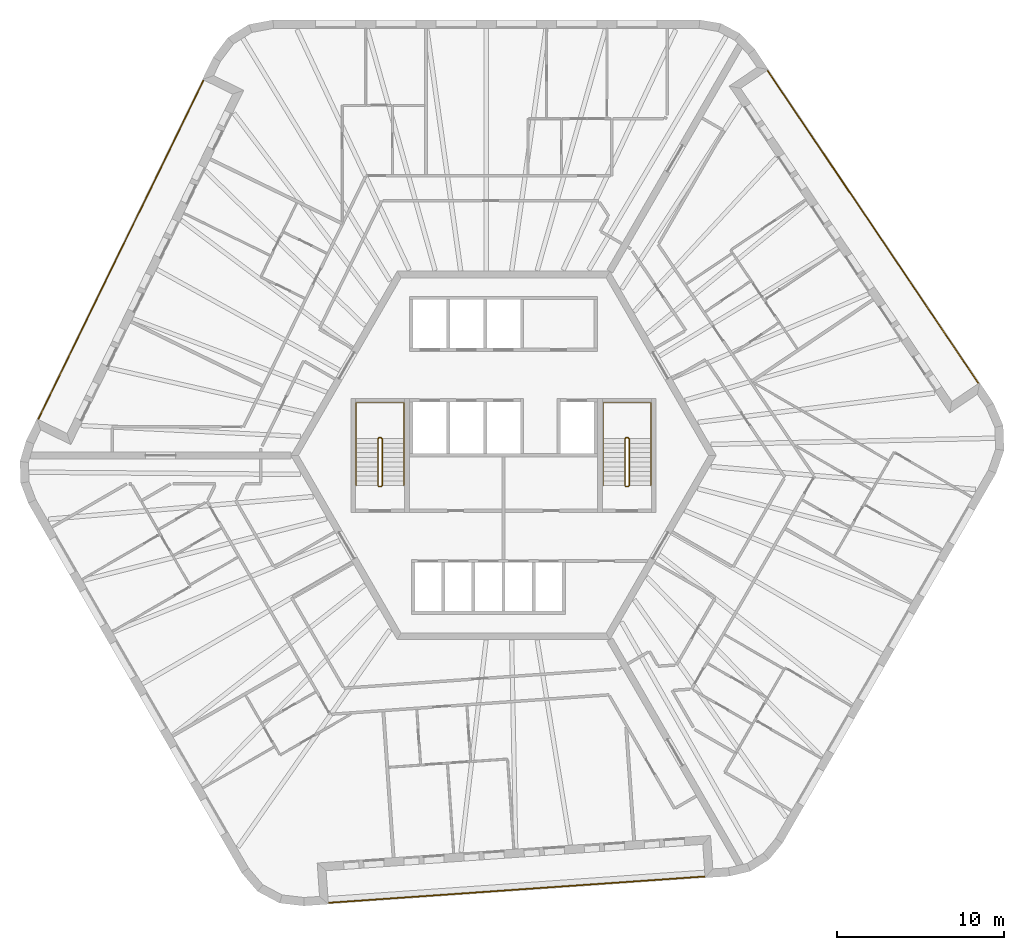
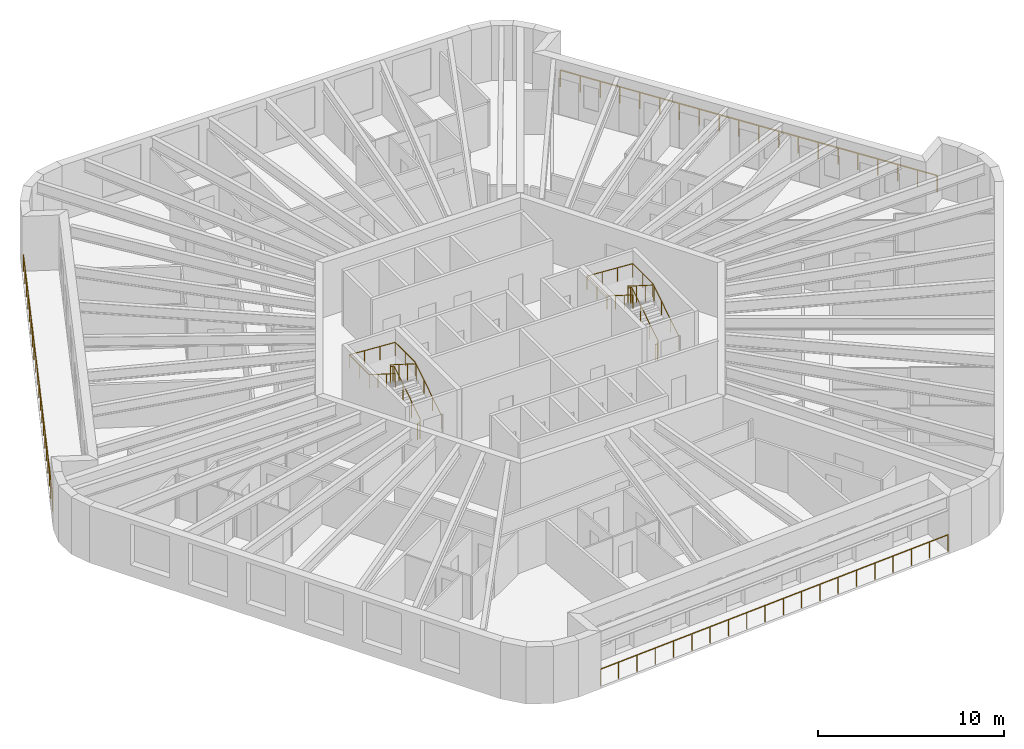
# One storey, part 12 of 12: 7 railings.
"""IFC4 building model written with IfcOpenShell, lengths in metres."""

from ifc_helpers import new_model, si_unit, direction, frame, origin, origin_2d, place, context, subcontext, project, spatial, circle, extrude, material, type_object, element, save


model = new_model("IFC4")

# Units and contexts
model_context = context("Model", 3, precision=1e-05, world=origin(), true_north=direction((0.0, 1.0)))
body_context = subcontext(model_context, "Body", "Model", "MODEL_VIEW")
ifc_project = project(units=[si_unit("LENGTHUNIT", "METRE"), si_unit("AREAUNIT", "SQUARE_METRE"), si_unit("VOLUMEUNIT", "CUBIC_METRE"), si_unit("PLANEANGLEUNIT", "RADIAN"), si_unit("MASSUNIT", "GRAM", prefix="KILO")], contexts=[model_context])

# Site, building, storey
site_placement = place(None, origin())
site = spatial("IfcSite", under=ifc_project, at=site_placement, CompositionType="ELEMENT")
building_placement = place(site_placement, origin())
building = spatial("IfcBuilding", under=site, at=building_placement, Name="Tarnside Tower", CompositionType="ELEMENT")
storey_placement = place(building_placement, frame((0.0, 0.0, 334.199951171875)))
storey = spatial("IfcBuildingStorey", under=building, at=storey_placement, Name="L81", CompositionType="ELEMENT", Elevation=334.199951171875)

# Railings
ifc_material_1 = material(Name="Toughened glass", Category="glass")
railing_type_1 = type_object("IfcRailingType", Name="Glass guard 1100", PredefinedType="GUARDRAIL", material=ifc_material_1)
railing_1_placement = place(storey_placement, frame((-17.906005859375, 22.415283203125, 0.0)))
element("IfcRailing", 1, at=railing_1_placement, inside=storey, type_object=railing_type_1, Name="Loggia guard L81 F2", PredefinedType="GUARDRAIL", context=body_context, shape_type="SweptSolid", body=[
    extrude(circle(Radius=0.030029296875, at=origin_2d()), frame((0.0, 0.0, 1.070068359375), z_axis=(-0.438372639335, -0.898793318335, 0.0), x_axis=(0.898793318335, -0.438372639335, 0.0)), (0.0, 0.0, 1.0), 22.544921875),
    extrude(circle(Radius=0.02490234375, at=origin_2d()), origin(), (0.0, 0.0, 1.0), 1.0400390625),
    extrude(circle(Radius=0.02490234375, at=origin_2d()), frame((-0.520263671875, -1.06640625, 0.0)), (0.0, 0.0, 1.0), 1.0400390625),
    extrude(circle(Radius=0.02490234375, at=origin_2d()), frame((-1.040283203125, -2.133056640625, 0.0)), (0.0, 0.0, 1.0), 1.0400390625),
    extrude(circle(Radius=0.02490234375, at=origin_2d()), frame((-1.560546875, -3.199462890625, 0.0)), (0.0, 0.0, 1.0), 1.0400390625),
    extrude(circle(Radius=0.02490234375, at=origin_2d()), frame((-2.08056640625, -4.265869140625, 0.0)), (0.0, 0.0, 1.0), 1.0400390625),
    extrude(circle(Radius=0.02490234375, at=origin_2d()), frame((-2.600830078125, -5.33251953125, 0.0)), (0.0, 0.0, 1.0), 1.0400390625),
    extrude(circle(Radius=0.02490234375, at=origin_2d()), frame((-3.120849609375, -6.39892578125, 0.0)), (0.0, 0.0, 1.0), 1.0400390625),
    extrude(circle(Radius=0.02490234375, at=origin_2d()), frame((-3.64111328125, -7.46533203125, 0.0)), (0.0, 0.0, 1.0), 1.0400390625),
    extrude(circle(Radius=0.02490234375, at=origin_2d()), frame((-4.161376953125, -8.531982421875, 0.0)), (0.0, 0.0, 1.0), 1.0400390625),
    extrude(circle(Radius=0.02490234375, at=origin_2d()), frame((-4.681396484375, -9.598388671875, 0.0)), (0.0, 0.0, 1.0), 1.0400390625),
    extrude(circle(Radius=0.02490234375, at=origin_2d()), frame((-5.20166015625, -10.664794921875, 0.0)), (0.0, 0.0, 1.0), 1.0400390625),
    extrude(circle(Radius=0.02490234375, at=origin_2d()), frame((-5.7216796875, -11.731201171875, 0.0)), (0.0, 0.0, 1.0), 1.0400390625),
    extrude(circle(Radius=0.02490234375, at=origin_2d()), frame((-6.241943359375, -12.7978515625, 0.0)), (0.0, 0.0, 1.0), 1.0400390625),
    extrude(circle(Radius=0.02490234375, at=origin_2d()), frame((-6.76220703125, -13.8642578125, 0.0)), (0.0, 0.0, 1.0), 1.0400390625),
    extrude(circle(Radius=0.02490234375, at=origin_2d()), frame((-7.2822265625, -14.9306640625, 0.0)), (0.0, 0.0, 1.0), 1.0400390625),
    extrude(circle(Radius=0.02490234375, at=origin_2d()), frame((-7.802490234375, -15.997314453125, 0.0)), (0.0, 0.0, 1.0), 1.0400390625),
    extrude(circle(Radius=0.02490234375, at=origin_2d()), frame((-8.322509765625, -17.063720703125, 0.0)), (0.0, 0.0, 1.0), 1.0400390625),
    extrude(circle(Radius=0.02490234375, at=origin_2d()), frame((-8.8427734375, -18.130126953125, 0.0)), (0.0, 0.0, 1.0), 1.0400390625),
    extrude(circle(Radius=0.02490234375, at=origin_2d()), frame((-9.36279296875, -19.19677734375, 0.0)), (0.0, 0.0, 1.0), 1.0400390625),
    extrude(circle(Radius=0.02490234375, at=origin_2d()), frame((-9.883056640625, -20.26318359375, 0.0)), (0.0, 0.0, 1.0), 1.0400390625),
])
railing_2_placement = place(storey_placement, frame((-10.458984375, -26.714599609375, 0.0)))
element("IfcRailing", 2, at=railing_2_placement, inside=storey, type_object=railing_type_1, Name="Loggia guard L81 F4", PredefinedType="GUARDRAIL", context=body_context, shape_type="SweptSolid", body=[
    extrude(circle(Radius=0.030029296875, at=origin_2d()), frame((0.0, 0.0, 1.070068359375), z_axis=(0.997564440639, 0.069750890837, 0.0), x_axis=(-0.069750890837, 0.997564440639, 0.0)), (0.0, 0.0, 1.0), 22.544677734375),
    extrude(circle(Radius=0.02490234375, at=origin_2d()), origin(), (0.0, 0.0, 1.0), 1.0400390625),
    extrude(circle(Radius=0.02490234375, at=origin_2d()), frame((1.18359375, 0.082763671875, 0.0)), (0.0, 0.0, 1.0), 1.0400390625),
    extrude(circle(Radius=0.02490234375, at=origin_2d()), frame((2.367431640625, 0.16552734375, 0.0)), (0.0, 0.0, 1.0), 1.0400390625),
    extrude(circle(Radius=0.02490234375, at=origin_2d()), frame((3.551025390625, 0.248291015625, 0.0)), (0.0, 0.0, 1.0), 1.0400390625),
    extrude(circle(Radius=0.02490234375, at=origin_2d()), frame((4.734619140625, 0.3310546875, 0.0)), (0.0, 0.0, 1.0), 1.0400390625),
    extrude(circle(Radius=0.02490234375, at=origin_2d()), frame((5.91845703125, 0.413818359375, 0.0)), (0.0, 0.0, 1.0), 1.0400390625),
    extrude(circle(Radius=0.02490234375, at=origin_2d()), frame((7.10205078125, 0.49658203125, 0.0)), (0.0, 0.0, 1.0), 1.0400390625),
    extrude(circle(Radius=0.02490234375, at=origin_2d()), frame((8.28564453125, 0.579345703125, 0.0)), (0.0, 0.0, 1.0), 1.0400390625),
    extrude(circle(Radius=0.02490234375, at=origin_2d()), frame((9.469482421875, 0.662109375, 0.0)), (0.0, 0.0, 1.0), 1.0400390625),
    extrude(circle(Radius=0.02490234375, at=origin_2d()), frame((10.653076171875, 0.744873046875, 0.0)), (0.0, 0.0, 1.0), 1.0400390625),
    extrude(circle(Radius=0.02490234375, at=origin_2d()), frame((11.836669921875, 0.82763671875, 0.0)), (0.0, 0.0, 1.0), 1.0400390625),
    extrude(circle(Radius=0.02490234375, at=origin_2d()), frame((13.020263671875, 0.910400390625, 0.0)), (0.0, 0.0, 1.0), 1.0400390625),
    extrude(circle(Radius=0.02490234375, at=origin_2d()), frame((14.2041015625, 0.9931640625, 0.0)), (0.0, 0.0, 1.0), 1.0400390625),
    extrude(circle(Radius=0.02490234375, at=origin_2d()), frame((15.3876953125, 1.075927734375, 0.0)), (0.0, 0.0, 1.0), 1.0400390625),
    extrude(circle(Radius=0.02490234375, at=origin_2d()), frame((16.5712890625, 1.15869140625, 0.0)), (0.0, 0.0, 1.0), 1.0400390625),
    extrude(circle(Radius=0.02490234375, at=origin_2d()), frame((17.755126953125, 1.241455078125, 0.0)), (0.0, 0.0, 1.0), 1.0400390625),
    extrude(circle(Radius=0.02490234375, at=origin_2d()), frame((18.938720703125, 1.32421875, 0.0)), (0.0, 0.0, 1.0), 1.0400390625),
    extrude(circle(Radius=0.02490234375, at=origin_2d()), frame((20.122314453125, 1.406982421875, 0.0)), (0.0, 0.0, 1.0), 1.0400390625),
    extrude(circle(Radius=0.02490234375, at=origin_2d()), frame((21.30615234375, 1.48974609375, 0.0)), (0.0, 0.0, 1.0), 1.0400390625),
    extrude(circle(Radius=0.02490234375, at=origin_2d()), frame((22.48974609375, 1.572509765625, 0.0)), (0.0, 0.0, 1.0), 1.0400390625),
])
railing_3_placement = place(storey_placement, frame((28.365234375, 4.299560546875, 0.0)))
element("IfcRailing", 3, at=railing_3_placement, inside=storey, type_object=railing_type_1, Name="Loggia guard L81 F6", PredefinedType="GUARDRAIL", context=body_context, shape_type="SweptSolid", body=[
    extrude(circle(Radius=0.030029296875, at=origin_2d()), frame((0.0, 0.0, 1.070068359375), z_axis=(-0.559195329741, 0.82903593601, 0.0), x_axis=(-0.82903593601, -0.559195329741, 0.0)), (0.0, 0.0, 1.0), 22.544677734375),
    extrude(circle(Radius=0.02490234375, at=origin_2d()), origin(), (0.0, 0.0, 1.0), 1.0400390625),
    extrude(circle(Radius=0.02490234375, at=origin_2d()), frame((-0.66357421875, 0.983642578125, 0.0)), (0.0, 0.0, 1.0), 1.0400390625),
    extrude(circle(Radius=0.02490234375, at=origin_2d()), frame((-1.3271484375, 1.967529296875, 0.0)), (0.0, 0.0, 1.0), 1.0400390625),
    extrude(circle(Radius=0.02490234375, at=origin_2d()), frame((-1.990478515625, 2.951171875, 0.0)), (0.0, 0.0, 1.0), 1.0400390625),
    extrude(circle(Radius=0.02490234375, at=origin_2d()), frame((-2.654052734375, 3.934814453125, 0.0)), (0.0, 0.0, 1.0), 1.0400390625),
    extrude(circle(Radius=0.02490234375, at=origin_2d()), frame((-3.317626953125, 4.91845703125, 0.0)), (0.0, 0.0, 1.0), 1.0400390625),
    extrude(circle(Radius=0.02490234375, at=origin_2d()), frame((-3.981201171875, 5.90234375, 0.0)), (0.0, 0.0, 1.0), 1.0400390625),
    extrude(circle(Radius=0.02490234375, at=origin_2d()), frame((-4.644775390625, 6.885986328125, 0.0)), (0.0, 0.0, 1.0), 1.0400390625),
    extrude(circle(Radius=0.02490234375, at=origin_2d()), frame((-5.30810546875, 7.86962890625, 0.0)), (0.0, 0.0, 1.0), 1.0400390625),
    extrude(circle(Radius=0.02490234375, at=origin_2d()), frame((-5.9716796875, 8.853271484375, 0.0)), (0.0, 0.0, 1.0), 1.0400390625),
    extrude(circle(Radius=0.02490234375, at=origin_2d()), frame((-6.63525390625, 9.837158203125, 0.0)), (0.0, 0.0, 1.0), 1.0400390625),
    extrude(circle(Radius=0.02490234375, at=origin_2d()), frame((-7.298828125, 10.82080078125, 0.0)), (0.0, 0.0, 1.0), 1.0400390625),
    extrude(circle(Radius=0.02490234375, at=origin_2d()), frame((-7.962158203125, 11.804443359375, 0.0)), (0.0, 0.0, 1.0), 1.0400390625),
    extrude(circle(Radius=0.02490234375, at=origin_2d()), frame((-8.625732421875, 12.7880859375, 0.0)), (0.0, 0.0, 1.0), 1.0400390625),
    extrude(circle(Radius=0.02490234375, at=origin_2d()), frame((-9.289306640625, 13.77197265625, 0.0)), (0.0, 0.0, 1.0), 1.0400390625),
    extrude(circle(Radius=0.02490234375, at=origin_2d()), frame((-9.952880859375, 14.755615234375, 0.0)), (0.0, 0.0, 1.0), 1.0400390625),
    extrude(circle(Radius=0.02490234375, at=origin_2d()), frame((-10.616455078125, 15.7392578125, 0.0)), (0.0, 0.0, 1.0), 1.0400390625),
    extrude(circle(Radius=0.02490234375, at=origin_2d()), frame((-11.27978515625, 16.722900390625, 0.0)), (0.0, 0.0, 1.0), 1.0400390625),
    extrude(circle(Radius=0.02490234375, at=origin_2d()), frame((-11.943359375, 17.706787109375, 0.0)), (0.0, 0.0, 1.0), 1.0400390625),
    extrude(circle(Radius=0.02490234375, at=origin_2d()), frame((-12.60693359375, 18.6904296875, 0.0)), (0.0, 0.0, 1.0), 1.0400390625),
])
ifc_material_2 = material(Name="Stainless steel", Category="steel")
railing_type_2 = type_object("IfcRailingType", Name="Stair guard 1100", PredefinedType="GUARDRAIL", material=ifc_material_2)
railing_4_placement = place(storey_placement, frame((7.300048828125, -1.85009765625, 0.0)))
element("IfcRailing", 4, at=railing_4_placement, inside=storey, type_object=railing_type_2, Name="L81 ST1 stair guard 1", PredefinedType="GUARDRAIL", context=body_context, shape_type="SweptSolid", body=[
    extrude(circle(Radius=0.02392578125, at=origin_2d()), frame((0.0, 0.0, 1.076171875), z_axis=(1.0, 0.0, 0.0), x_axis=(0.0, 1.0, 0.0)), (0.0, 0.0, 1.0), 0.14990234375),
    extrude(circle(Radius=0.02392578125, at=origin_2d()), frame((0.14990234375, 0.0, 1.076171875), z_axis=(0.262233686654, 0.262233686654, 0.928691007369), x_axis=(-0.707106781187, 0.707106781187, 0.0)), (0.0, 0.0, 1.0), 0.19091796875),
    extrude(circle(Radius=0.02392578125, at=origin_2d()), frame((0.199951171875, 0.050048828125, 1.25341796875), z_axis=(0.0, 0.844908973607, 0.534910110503), x_axis=(-1.0, 0.0, 0.0)), (0.0, 0.0, 1.0), 3.31396484375),
    extrude(circle(Radius=0.02392578125, at=origin_2d()), frame((0.199951171875, 2.85009765625, 3.02587890625), z_axis=(-0.707106781187, 0.707106781187, 0.0), x_axis=(-0.707106781187, -0.707106781187, 0.0)), (0.0, 0.0, 1.0), 0.07080078125),
    extrude(circle(Radius=0.02392578125, at=origin_2d()), frame((0.14990234375, 2.900146484375, 3.02587890625), z_axis=(-1.0, 0.0, 0.0), x_axis=(0.0, -1.0, 0.0)), (0.0, 0.0, 1.0), 0.14990234375),
    extrude(circle(Radius=0.02392578125, at=origin_2d()), frame((0.0, 2.900146484375, 3.02587890625), z_axis=(-0.261922500866, -0.261922500866, 0.928866625022), x_axis=(0.707106781187, -0.707106781187, 0.0)), (0.0, 0.0, 1.0), 0.191162109375),
    extrude(circle(Radius=0.02392578125, at=origin_2d()), frame((-0.050048828125, 2.85009765625, 3.20361328125), z_axis=(0.0, -0.844908973607, 0.534910110503), x_axis=(1.0, 0.0, 0.0)), (0.0, 0.0, 1.0), 3.31396484375),
    extrude(circle(Radius=0.02099609375, at=origin_2d()), origin(), (0.0, 0.0, 1.0), 1.052001953125),
    extrude(circle(Radius=0.02099609375, at=origin_2d()), frame((0.14990234375, 0.0, 0.0)), (0.0, 0.0, 1.0), 1.052001953125),
    extrude(circle(Radius=0.02099609375, at=origin_2d()), frame((0.199951171875, 0.050048828125, 0.17724609375)), (0.0, 0.0, 1.0), 1.052001953125),
    extrude(circle(Radius=0.02099609375, at=origin_2d()), frame((0.199951171875, 0.9833984375, 0.76806640625)), (0.0, 0.0, 1.0), 1.052001953125),
    extrude(circle(Radius=0.02099609375, at=origin_2d()), frame((0.199951171875, 1.916748046875, 1.359130859375)), (0.0, 0.0, 1.0), 1.052001953125),
    extrude(circle(Radius=0.02099609375, at=origin_2d()), frame((0.199951171875, 2.85009765625, 1.949951171875)), (0.0, 0.0, 1.0), 1.052001953125),
    extrude(circle(Radius=0.02099609375, at=origin_2d()), frame((0.14990234375, 2.900146484375, 1.949951171875)), (0.0, 0.0, 1.0), 1.052001953125),
    extrude(circle(Radius=0.02099609375, at=origin_2d()), frame((0.0, 2.900146484375, 1.949951171875)), (0.0, 0.0, 1.0), 1.052001953125),
    extrude(circle(Radius=0.02099609375, at=origin_2d()), frame((-0.050048828125, 2.85009765625, 2.12744140625)), (0.0, 0.0, 1.0), 1.052001953125),
    extrude(circle(Radius=0.02099609375, at=origin_2d()), frame((-0.050048828125, 1.916748046875, 2.71826171875)), (0.0, 0.0, 1.0), 1.052001953125),
    extrude(circle(Radius=0.02099609375, at=origin_2d()), frame((-0.050048828125, 0.9833984375, 3.309326171875)), (0.0, 0.0, 1.0), 1.052001953125),
    extrude(circle(Radius=0.02099609375, at=origin_2d()), frame((-0.050048828125, 0.050048828125, 3.900146484375)), (0.0, 0.0, 1.0), 1.052001953125),
])
railing_5_placement = place(storey_placement, frame((-7.449951171875, -1.85009765625, 0.0)))
element("IfcRailing", 5, at=railing_5_placement, inside=storey, type_object=railing_type_2, Name="L81 ST2 stair guard 1", PredefinedType="GUARDRAIL", context=body_context, shape_type="SweptSolid", body=[
    extrude(circle(Radius=0.02392578125, at=origin_2d()), frame((0.0, 0.0, 1.076171875), z_axis=(1.0, 0.0, 0.0), x_axis=(0.0, 1.0, 0.0)), (0.0, 0.0, 1.0), 0.14990234375),
    extrude(circle(Radius=0.02392578125, at=origin_2d()), frame((0.14990234375, 0.0, 1.076171875), z_axis=(0.262233686654, 0.262233686654, 0.928691007369), x_axis=(-0.707106781187, 0.707106781187, 0.0)), (0.0, 0.0, 1.0), 0.19091796875),
    extrude(circle(Radius=0.02392578125, at=origin_2d()), frame((0.199951171875, 0.050048828125, 1.25341796875), z_axis=(0.0, 0.844908973607, 0.534910110503), x_axis=(-1.0, 0.0, 0.0)), (0.0, 0.0, 1.0), 3.31396484375),
    extrude(circle(Radius=0.02392578125, at=origin_2d()), frame((0.199951171875, 2.85009765625, 3.02587890625), z_axis=(-0.707106781187, 0.707106781187, 0.0), x_axis=(-0.707106781187, -0.707106781187, 0.0)), (0.0, 0.0, 1.0), 0.07080078125),
    extrude(circle(Radius=0.02392578125, at=origin_2d()), frame((0.14990234375, 2.900146484375, 3.02587890625), z_axis=(-1.0, 0.0, 0.0), x_axis=(0.0, -1.0, 0.0)), (0.0, 0.0, 1.0), 0.14990234375),
    extrude(circle(Radius=0.02392578125, at=origin_2d()), frame((0.0, 2.900146484375, 3.02587890625), z_axis=(-0.261922500866, -0.261922500866, 0.928866625022), x_axis=(0.707106781187, -0.707106781187, 0.0)), (0.0, 0.0, 1.0), 0.191162109375),
    extrude(circle(Radius=0.02392578125, at=origin_2d()), frame((-0.050048828125, 2.85009765625, 3.20361328125), z_axis=(0.0, -0.844908973607, 0.534910110503), x_axis=(1.0, 0.0, 0.0)), (0.0, 0.0, 1.0), 3.31396484375),
    extrude(circle(Radius=0.02099609375, at=origin_2d()), origin(), (0.0, 0.0, 1.0), 1.052001953125),
    extrude(circle(Radius=0.02099609375, at=origin_2d()), frame((0.14990234375, 0.0, 0.0)), (0.0, 0.0, 1.0), 1.052001953125),
    extrude(circle(Radius=0.02099609375, at=origin_2d()), frame((0.199951171875, 0.050048828125, 0.17724609375)), (0.0, 0.0, 1.0), 1.052001953125),
    extrude(circle(Radius=0.02099609375, at=origin_2d()), frame((0.199951171875, 0.9833984375, 0.76806640625)), (0.0, 0.0, 1.0), 1.052001953125),
    extrude(circle(Radius=0.02099609375, at=origin_2d()), frame((0.199951171875, 1.916748046875, 1.359130859375)), (0.0, 0.0, 1.0), 1.052001953125),
    extrude(circle(Radius=0.02099609375, at=origin_2d()), frame((0.199951171875, 2.85009765625, 1.949951171875)), (0.0, 0.0, 1.0), 1.052001953125),
    extrude(circle(Radius=0.02099609375, at=origin_2d()), frame((0.14990234375, 2.900146484375, 1.949951171875)), (0.0, 0.0, 1.0), 1.052001953125),
    extrude(circle(Radius=0.02099609375, at=origin_2d()), frame((0.0, 2.900146484375, 1.949951171875)), (0.0, 0.0, 1.0), 1.052001953125),
    extrude(circle(Radius=0.02099609375, at=origin_2d()), frame((-0.050048828125, 2.85009765625, 2.12744140625)), (0.0, 0.0, 1.0), 1.052001953125),
    extrude(circle(Radius=0.02099609375, at=origin_2d()), frame((-0.050048828125, 1.916748046875, 2.71826171875)), (0.0, 0.0, 1.0), 1.052001953125),
    extrude(circle(Radius=0.02099609375, at=origin_2d()), frame((-0.050048828125, 0.9833984375, 3.309326171875)), (0.0, 0.0, 1.0), 1.052001953125),
    extrude(circle(Radius=0.02099609375, at=origin_2d()), frame((-0.050048828125, 0.050048828125, 3.900146484375)), (0.0, 0.0, 1.0), 1.052001953125),
])
railing_type_3 = type_object("IfcRailingType", Name="Stair handrail 900", PredefinedType="HANDRAIL", material=ifc_material_2)
railing_6_placement = place(storey_placement, frame((8.800048828125, -1.800048828125, 0.17724609375)))
element("IfcRailing", 6, at=railing_6_placement, inside=storey, type_object=railing_type_3, Name="L81 ST1 stair handrail 1", PredefinedType="HANDRAIL", context=body_context, shape_type="SweptSolid", body=[
    extrude(circle(Radius=0.02392578125, at=origin_2d()), frame((0.0, 0.0, 0.8857421875), z_axis=(0.0, 0.844908973607, 0.534910110503), x_axis=(-1.0, 0.0, 0.0)), (0.0, 0.0, 1.0), 3.31396484375),
    extrude(circle(Radius=0.02392578125, at=origin_2d()), frame((0.0, 2.800048828125, 2.65869140625), z_axis=(0.0, 1.0, 0.0), x_axis=(-1.0, 0.0, 0.0)), (0.0, 0.0, 1.0), 2.14990234375),
    extrude(circle(Radius=0.02392578125, at=origin_2d()), frame((0.0, 4.949951171875, 2.65869140625), z_axis=(-0.998066525363, 0.0, 0.062154733933), x_axis=(0.0, -1.0, 0.0)), (0.0, 0.0, 1.0), 2.855712890625),
    extrude(circle(Radius=0.02392578125, at=origin_2d()), frame((-2.85009765625, 4.949951171875, 2.8359375), z_axis=(0.0, -1.0, 0.0), x_axis=(1.0, 0.0, 0.0)), (0.0, 0.0, 1.0), 2.14990234375),
    extrude(circle(Radius=0.02392578125, at=origin_2d()), frame((-2.85009765625, 2.800048828125, 2.8359375), z_axis=(0.0, -0.844908973607, 0.534910110503), x_axis=(1.0, 0.0, 0.0)), (0.0, 0.0, 1.0), 3.31396484375),
    extrude(circle(Radius=0.02099609375, at=origin_2d()), origin(), (0.0, 0.0, 1.0), 0.86181640625),
    extrude(circle(Radius=0.02099609375, at=origin_2d()), frame((0.0, 0.933349609375, 0.5908203125)), (0.0, 0.0, 1.0), 0.86181640625),
    extrude(circle(Radius=0.02099609375, at=origin_2d()), frame((0.0, 1.86669921875, 1.181884765625)), (0.0, 0.0, 1.0), 0.86181640625),
    extrude(circle(Radius=0.02099609375, at=origin_2d()), frame((0.0, 2.800048828125, 1.772705078125)), (0.0, 0.0, 1.0), 0.86181640625),
    extrude(circle(Radius=0.02099609375, at=origin_2d()), frame((0.0, 3.875, 1.772705078125)), (0.0, 0.0, 1.0), 0.86181640625),
    extrude(circle(Radius=0.02099609375, at=origin_2d()), frame((0.0, 4.949951171875, 1.772705078125)), (0.0, 0.0, 1.0), 0.86181640625),
    extrude(circle(Radius=0.02099609375, at=origin_2d()), frame((-0.949951171875, 4.949951171875, 1.831787109375)), (0.0, 0.0, 1.0), 0.86181640625),
    extrude(circle(Radius=0.02099609375, at=origin_2d()), frame((-1.900146484375, 4.949951171875, 1.89111328125)), (0.0, 0.0, 1.0), 0.86181640625),
    extrude(circle(Radius=0.02099609375, at=origin_2d()), frame((-2.85009765625, 4.949951171875, 1.9501953125)), (0.0, 0.0, 1.0), 0.86181640625),
    extrude(circle(Radius=0.02099609375, at=origin_2d()), frame((-2.85009765625, 3.875, 1.9501953125)), (0.0, 0.0, 1.0), 0.86181640625),
    extrude(circle(Radius=0.02099609375, at=origin_2d()), frame((-2.85009765625, 2.800048828125, 1.9501953125)), (0.0, 0.0, 1.0), 0.86181640625),
    extrude(circle(Radius=0.02099609375, at=origin_2d()), frame((-2.85009765625, 1.86669921875, 2.541015625)), (0.0, 0.0, 1.0), 0.86181640625),
    extrude(circle(Radius=0.02099609375, at=origin_2d()), frame((-2.85009765625, 0.933349609375, 3.132080078125)), (0.0, 0.0, 1.0), 0.86181640625),
    extrude(circle(Radius=0.02099609375, at=origin_2d()), frame((-2.85009765625, 0.0, 3.722900390625)), (0.0, 0.0, 1.0), 0.86181640625),
])
railing_7_placement = place(storey_placement, frame((-5.949951171875, -1.800048828125, 0.17724609375)))
element("IfcRailing", 7, at=railing_7_placement, inside=storey, type_object=railing_type_3, Name="L81 ST2 stair handrail 1", PredefinedType="HANDRAIL", context=body_context, shape_type="SweptSolid", body=[
    extrude(circle(Radius=0.02392578125, at=origin_2d()), frame((0.0, 0.0, 0.8857421875), z_axis=(0.0, 0.844908973607, 0.534910110503), x_axis=(-1.0, 0.0, 0.0)), (0.0, 0.0, 1.0), 3.31396484375),
    extrude(circle(Radius=0.02392578125, at=origin_2d()), frame((0.0, 2.800048828125, 2.65869140625), z_axis=(0.0, 1.0, 0.0), x_axis=(-1.0, 0.0, 0.0)), (0.0, 0.0, 1.0), 2.14990234375),
    extrude(circle(Radius=0.02392578125, at=origin_2d()), frame((0.0, 4.949951171875, 2.65869140625), z_axis=(-0.998066525363, 0.0, 0.062154733933), x_axis=(0.0, -1.0, 0.0)), (0.0, 0.0, 1.0), 2.855712890625),
    extrude(circle(Radius=0.02392578125, at=origin_2d()), frame((-2.85009765625, 4.949951171875, 2.8359375), z_axis=(0.0, -1.0, 0.0), x_axis=(1.0, 0.0, 0.0)), (0.0, 0.0, 1.0), 2.14990234375),
    extrude(circle(Radius=0.02392578125, at=origin_2d()), frame((-2.85009765625, 2.800048828125, 2.8359375), z_axis=(0.0, -0.844908973607, 0.534910110503), x_axis=(1.0, 0.0, 0.0)), (0.0, 0.0, 1.0), 3.31396484375),
    extrude(circle(Radius=0.02099609375, at=origin_2d()), origin(), (0.0, 0.0, 1.0), 0.86181640625),
    extrude(circle(Radius=0.02099609375, at=origin_2d()), frame((0.0, 0.933349609375, 0.5908203125)), (0.0, 0.0, 1.0), 0.86181640625),
    extrude(circle(Radius=0.02099609375, at=origin_2d()), frame((0.0, 1.86669921875, 1.181884765625)), (0.0, 0.0, 1.0), 0.86181640625),
    extrude(circle(Radius=0.02099609375, at=origin_2d()), frame((0.0, 2.800048828125, 1.772705078125)), (0.0, 0.0, 1.0), 0.86181640625),
    extrude(circle(Radius=0.02099609375, at=origin_2d()), frame((0.0, 3.875, 1.772705078125)), (0.0, 0.0, 1.0), 0.86181640625),
    extrude(circle(Radius=0.02099609375, at=origin_2d()), frame((0.0, 4.949951171875, 1.772705078125)), (0.0, 0.0, 1.0), 0.86181640625),
    extrude(circle(Radius=0.02099609375, at=origin_2d()), frame((-0.949951171875, 4.949951171875, 1.831787109375)), (0.0, 0.0, 1.0), 0.86181640625),
    extrude(circle(Radius=0.02099609375, at=origin_2d()), frame((-1.900146484375, 4.949951171875, 1.89111328125)), (0.0, 0.0, 1.0), 0.86181640625),
    extrude(circle(Radius=0.02099609375, at=origin_2d()), frame((-2.85009765625, 4.949951171875, 1.9501953125)), (0.0, 0.0, 1.0), 0.86181640625),
    extrude(circle(Radius=0.02099609375, at=origin_2d()), frame((-2.85009765625, 3.875, 1.9501953125)), (0.0, 0.0, 1.0), 0.86181640625),
    extrude(circle(Radius=0.02099609375, at=origin_2d()), frame((-2.85009765625, 2.800048828125, 1.9501953125)), (0.0, 0.0, 1.0), 0.86181640625),
    extrude(circle(Radius=0.02099609375, at=origin_2d()), frame((-2.85009765625, 1.86669921875, 2.541015625)), (0.0, 0.0, 1.0), 0.86181640625),
    extrude(circle(Radius=0.02099609375, at=origin_2d()), frame((-2.85009765625, 0.933349609375, 3.132080078125)), (0.0, 0.0, 1.0), 0.86181640625),
    extrude(circle(Radius=0.02099609375, at=origin_2d()), frame((-2.85009765625, 0.0, 3.722900390625)), (0.0, 0.0, 1.0), 0.86181640625),
])

save(model, "model.ifc")
